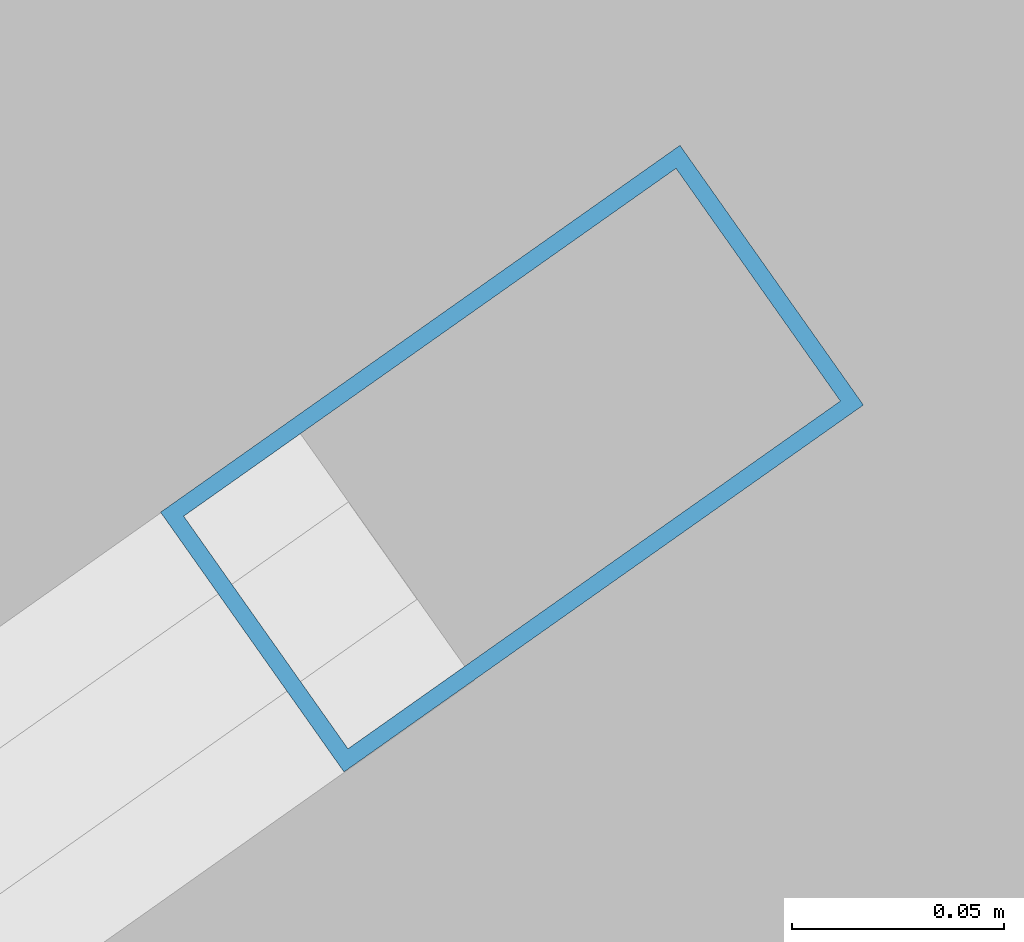
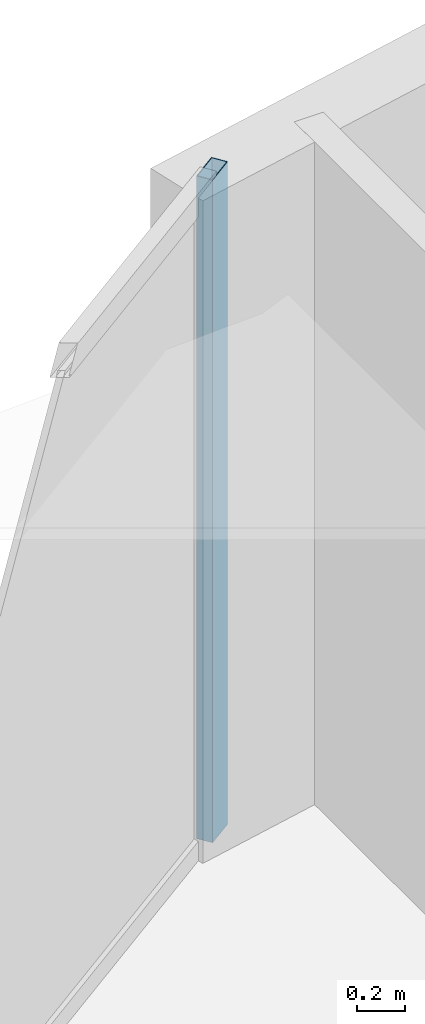
# One storey, part 17 of 31: 1 member, 1 element without a shape of its own.
"""IFC4 building model written with IfcOpenShell, lengths in metres."""

from ifc_helpers import new_model, si_unit, direction, frame, origin, origin_2d, place, context, subcontext, project, spatial, hollow_rectangle, extrude, material, layer, layer_set, material_profile, profile_set, type_object, element, aggregate, save


model = new_model("IFC4")

# Units and contexts
model_context = context("Model", 3, precision=1e-05, world=origin(), true_north=direction((0.0, 1.0)))
body_context = subcontext(model_context, "Body", "Model", "MODEL_VIEW")
ifc_project = project(units=[si_unit("LENGTHUNIT", "METRE"), si_unit("AREAUNIT", "SQUARE_METRE"), si_unit("VOLUMEUNIT", "CUBIC_METRE"), si_unit("PLANEANGLEUNIT", "RADIAN"), si_unit("MASSUNIT", "GRAM", prefix="KILO")], contexts=[model_context])

# Site, building, storey
site_placement = place(None, origin())
site = spatial("IfcSite", under=ifc_project, at=site_placement, CompositionType="ELEMENT")
building_placement = place(site_placement, origin())
building = spatial("IfcBuilding", under=site, at=building_placement, Name="Kazevale Care Tower and Concert Hall", CompositionType="ELEMENT")
storey_placement = place(building_placement, frame((0.0, 0.0, 60.0)))
storey = spatial("IfcBuildingStorey", under=building, at=storey_placement, Name="L15", CompositionType="ELEMENT", Elevation=60.0)

# Curtain wall, member
ifc_material_1 = material(Name="Aluminium 6063-T6 and Low-E Glass", Category="aluminium")
ifc_layer = layer(ifc_material_1, 0.179931640625)
ifc_layer_set = layer_set([ifc_layer], Name="Aluminium 6063-T6 and Low-E Glass")
curtain_wall_type = type_object("IfcCurtainWallType", Name="Convex Recessed Sunroom Curtain Wall CW-3", PredefinedType="NOTDEFINED", material=ifc_layer_set)
curtain_wall_placement = place(storey_placement, origin())
curtain_wall = element("IfcCurtainWall", 1, at=curtain_wall_placement, inside=storey, type_object=curtain_wall_type, Name="cw:L15:f14", PredefinedType="NOTDEFINED")
ifc_material_2 = material(Name="Aluminium 6063-T6", Category="aluminium")
ifc_material_profile = material_profile(ifc_material_2, hollow_rectangle(XDim=0.074951171875, YDim=0.14990234375, WallThickness=0.00390625, at=origin_2d()), Name="ALU75x150x4")
ifc_profile_set = profile_set([ifc_material_profile], Name="Aluminium 6063-T6")
member_type = type_object("IfcMemberType", Name="CW-3 Mullion ALU75x150x4", PredefinedType="MULLION", material=ifc_profile_set)
member_placement = place(storey_placement, frame((25.96435546875, 61.17041015625, 0.0), z_axis=(0.0, 0.0, 1.0), x_axis=(-0.57692895392, 0.816794332821, 0.0)))
member = element("IfcMember", 2, at=member_placement, type_object=member_type, Name="CW-3 mullion 2", PredefinedType="MULLION", context=body_context, shape_type="SweptSolid", body=[
    extrude(hollow_rectangle(XDim=0.074951171875, YDim=0.14990234375, WallThickness=0.00390625, at=origin_2d()), origin(), (0.0, 0.0, 1.0), 3.360107421875),
])
aggregate(curtain_wall, [member])

save(model, "model.ifc")
